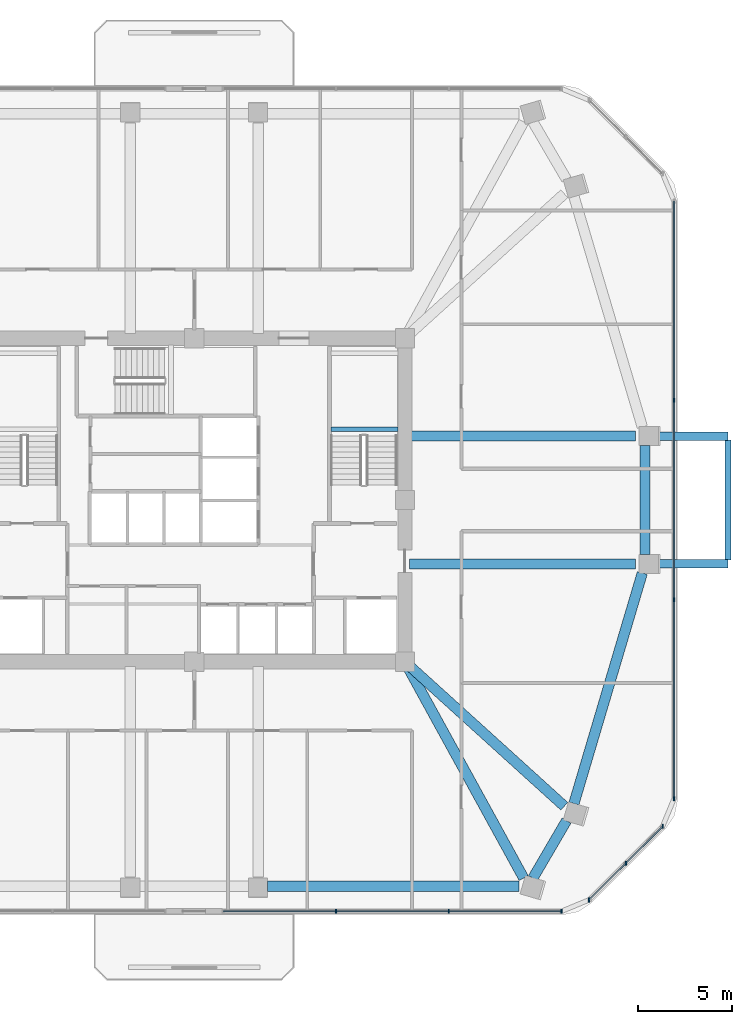
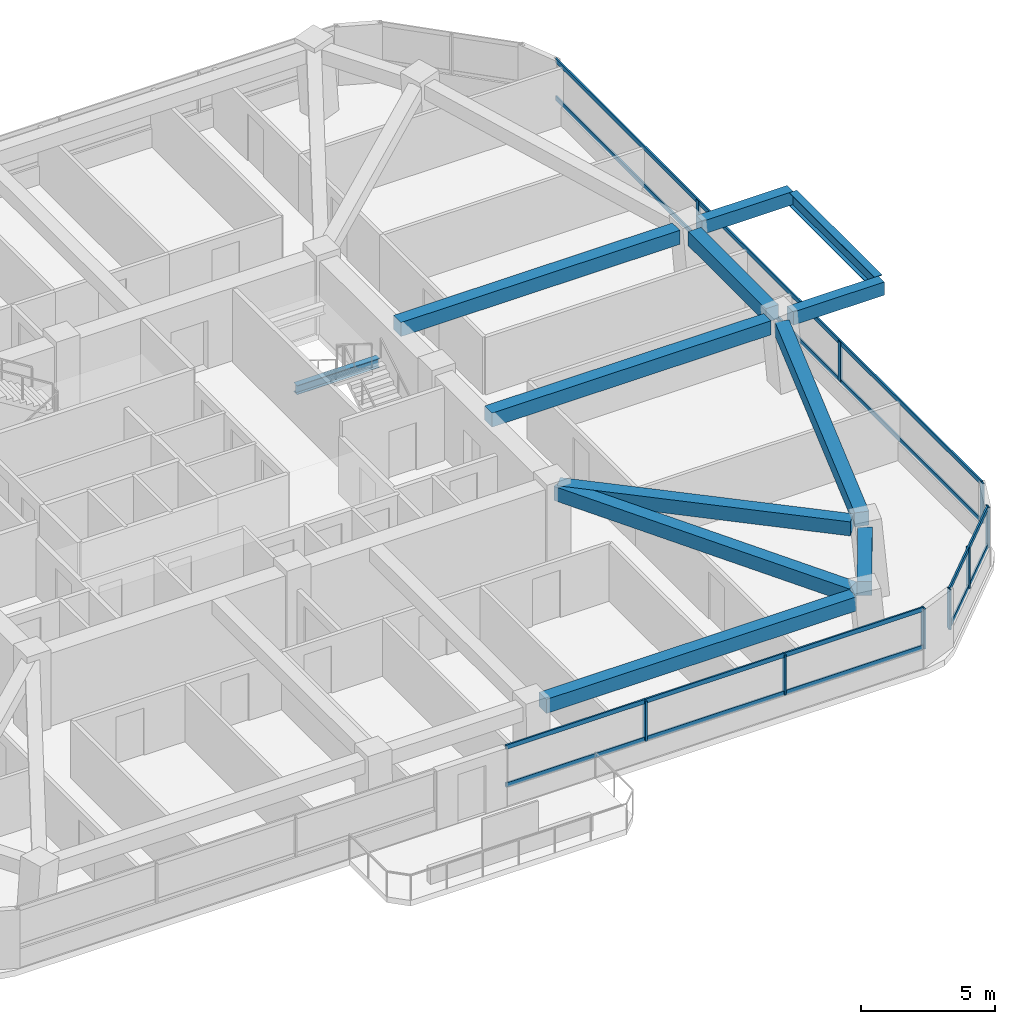
# One storey, part 4 of 13: 15 members, 12 beams, 3 elements without a shape of their own.
"""IFC4 building model written with IfcOpenShell, lengths in metres."""

from ifc_helpers import new_model, si_unit, derived_unit, direction, frame, origin, origin_2d, place, context, subcontext, project, spatial, rectangle, i_section, extrude, material, material_profile, profile_set, type_object, element, aggregate, save


model = new_model("IFC4")

# Units and contexts
model_context = context("Model", 3, precision=1e-05, world=origin(), true_north=direction((0.0, 1.0)))
body_context = subcontext(model_context, "Body", "Model", "MODEL_VIEW")
ifc_project = project(units=[si_unit("LENGTHUNIT", "METRE"), si_unit("AREAUNIT", "SQUARE_METRE"), si_unit("VOLUMEUNIT", "CUBIC_METRE"), si_unit("PLANEANGLEUNIT", "RADIAN"), si_unit("MASSUNIT", "GRAM", prefix="KILO"), derived_unit("THERMALTRANSMITTANCEUNIT", [(si_unit("POWERUNIT", "WATT"), 1), (si_unit("LENGTHUNIT", "METRE"), -2), (si_unit("THERMODYNAMICTEMPERATUREUNIT", "KELVIN"), -1)])], contexts=[model_context])

# Site, building, storey
site_placement = place(None, origin())
site = spatial("IfcSite", under=ifc_project, at=site_placement, CompositionType="ELEMENT")
building_placement = place(site_placement, origin())
building = spatial("IfcBuilding", under=site, at=building_placement, Name="Koralith Skygarden Medical Center", CompositionType="ELEMENT")
storey_placement = place(building_placement, frame((0.0, 0.0, 102.780029296875)))
storey = spatial("IfcBuildingStorey", under=building, at=storey_placement, Name="L26", CompositionType="ELEMENT", Elevation=102.780029296875)

# Curtain wall, members
ifc_material_1 = material(Name="Clear Laminated Glass", Category="glass")
curtain_wall_type = type_object("IfcCurtainWallType", Name="CW-3 Zone 2 Faceted Solar Curtain Wall", PredefinedType="NOTDEFINED", material=ifc_material_1)
curtain_wall_1_placement = place(storey_placement, origin())
curtain_wall_1 = element("IfcCurtainWall", 1, at=curtain_wall_1_placement, inside=storey, type_object=curtain_wall_type, Name="Curtain Wall CW-L26-S-R", PredefinedType="NOTDEFINED")
ifc_material_2 = material(Name="Aluminium 6063-T6", Category="aluminium")
ifc_material_profile_1 = material_profile(ifc_material_2, rectangle(XDim=0.073974609375, YDim=0.219970703125, at=origin_2d()), Name="MUL74X220")
ifc_profile_set_1 = profile_set([ifc_material_profile_1], Name="Aluminium 6063-T6")
member_type_1 = type_object("IfcMemberType", Name="CW-3 Extruded Mullion 74x220", PredefinedType="MULLION", material=ifc_profile_set_1)
member_1_placement = place(storey_placement, frame((44.5380859375, 4.033935546875, 0.849853515625), z_axis=(0.0, 0.0, 1.0), x_axis=(1.0, 0.0, 0.0)))
member_1 = element("IfcMember", 2, at=member_1_placement, type_object=member_type_1, Name="CW-L26-S-R Mullion 2", PredefinedType="MULLION", context=body_context, shape_type="SweptSolid", body=[
    extrude(rectangle(XDim=0.073974609375, YDim=0.219970703125, at=origin_2d()), origin(), (0.0, 0.0, 1.0), 1.820068359375),
])
member_2_placement = place(storey_placement, frame((50.537109375, 4.033935546875, 0.849853515625), z_axis=(0.0, 0.0, 1.0), x_axis=(1.0, 0.0, 0.0)))
member_2 = element("IfcMember", 3, at=member_2_placement, type_object=member_type_1, Name="CW-L26-S-R Mullion 3", PredefinedType="MULLION", context=body_context, shape_type="SweptSolid", body=[
    extrude(rectangle(XDim=0.073974609375, YDim=0.219970703125, at=origin_2d()), origin(), (0.0, 0.0, 1.0), 1.820068359375),
])
member_3_placement = place(storey_placement, frame((56.535888671875, 4.033935546875, 0.849853515625), z_axis=(0.0, 0.0, 1.0), x_axis=(1.0, 0.0, 0.0)))
member_3 = element("IfcMember", 4, at=member_3_placement, type_object=member_type_1, Name="CW-L26-S-R Mullion 4", PredefinedType="MULLION", context=body_context, shape_type="SweptSolid", body=[
    extrude(rectangle(XDim=0.073974609375, YDim=0.219970703125, at=origin_2d()), origin(), (0.0, 0.0, 1.0), 1.820068359375),
])

curtain_wall_2_placement = place(storey_placement, origin())
curtain_wall_2 = element("IfcCurtainWall", 5, at=curtain_wall_2_placement, inside=storey, type_object=curtain_wall_type, Name="Curtain Wall CW-L26-SE", PredefinedType="NOTDEFINED")
member_4_placement = place(storey_placement, frame((57.987060546875, 4.635009765625, 0.849853515625), z_axis=(0.0, 0.0, 1.0), x_axis=(1.0, 0.0, 0.0)))
member_4 = element("IfcMember", 6, at=member_4_placement, type_object=member_type_1, Name="CW-L26-SE Mullion 1", PredefinedType="MULLION", context=body_context, shape_type="SweptSolid", body=[
    extrude(rectangle(XDim=0.073974609375, YDim=0.219970703125, at=origin_2d()), origin(), (0.0, 0.0, 1.0), 1.820068359375),
])
member_5_placement = place(storey_placement, frame((59.948974609375, 6.595947265625, 0.849853515625), z_axis=(0.0, 0.0, 1.0), x_axis=(1.0, 0.0, 0.0)))
member_5 = element("IfcMember", 7, at=member_5_placement, type_object=member_type_1, Name="CW-L26-SE Mullion 2", PredefinedType="MULLION", context=body_context, shape_type="SweptSolid", body=[
    extrude(rectangle(XDim=0.073974609375, YDim=0.219970703125, at=origin_2d()), origin(), (0.0, 0.0, 1.0), 1.820068359375),
])
member_6_placement = place(storey_placement, frame((61.909912109375, 8.55810546875, 0.849853515625), z_axis=(0.0, 0.0, 1.0), x_axis=(1.0, 0.0, 0.0)))
member_6 = element("IfcMember", 8, at=member_6_placement, type_object=member_type_1, Name="CW-L26-SE Mullion 3", PredefinedType="MULLION", context=body_context, shape_type="SweptSolid", body=[
    extrude(rectangle(XDim=0.073974609375, YDim=0.219970703125, at=origin_2d()), origin(), (0.0, 0.0, 1.0), 1.820068359375),
])

curtain_wall_3_placement = place(storey_placement, origin())
curtain_wall_3 = element("IfcCurtainWall", 9, at=curtain_wall_3_placement, inside=storey, type_object=curtain_wall_type, Name="Curtain Wall CW-L26-E", PredefinedType="NOTDEFINED")
member_7_placement = place(storey_placement, frame((62.510986328125, 10.009033203125, 0.849853515625), z_axis=(0.0, 0.0, 1.0), x_axis=(1.0, 0.0, 0.0)))
member_7 = element("IfcMember", 10, at=member_7_placement, type_object=member_type_1, Name="CW-L26-E Mullion 1", PredefinedType="MULLION", context=body_context, shape_type="SweptSolid", body=[
    extrude(rectangle(XDim=0.073974609375, YDim=0.219970703125, at=origin_2d()), origin(), (0.0, 0.0, 1.0), 1.820068359375),
])
member_8_placement = place(storey_placement, frame((62.510986328125, 20.60302734375, 0.849853515625), z_axis=(0.0, 0.0, 1.0), x_axis=(1.0, 0.0, 0.0)))
member_8 = element("IfcMember", 11, at=member_8_placement, type_object=member_type_1, Name="CW-L26-E Mullion 2", PredefinedType="MULLION", context=body_context, shape_type="SweptSolid", body=[
    extrude(rectangle(XDim=0.073974609375, YDim=0.219970703125, at=origin_2d()), origin(), (0.0, 0.0, 1.0), 1.820068359375),
])
member_9_placement = place(storey_placement, frame((62.510986328125, 31.197021484375, 0.849853515625), z_axis=(0.0, 0.0, 1.0), x_axis=(1.0, 0.0, 0.0)))
member_9 = element("IfcMember", 12, at=member_9_placement, type_object=member_type_1, Name="CW-L26-E Mullion 3", PredefinedType="MULLION", context=body_context, shape_type="SweptSolid", body=[
    extrude(rectangle(XDim=0.073974609375, YDim=0.219970703125, at=origin_2d()), origin(), (0.0, 0.0, 1.0), 1.820068359375),
])

# Member
ifc_material_profile_2 = material_profile(ifc_material_2, rectangle(XDim=0.069091796875, YDim=0.197998046875, at=origin_2d()), Name="TRN69X198")
ifc_profile_set_2 = profile_set([ifc_material_profile_2], Name="Aluminium 6063-T6")
member_type_2 = type_object("IfcMemberType", Name="CW-3 Thermal Transom 69x198", PredefinedType="USERDEFINED", material=ifc_profile_set_2)
member_10_placement = place(storey_placement, frame((38.5390625, 4.033935546875, 0.89990234375), z_axis=(1.0, 0.0, 0.0), x_axis=(0.0, 1.0, 0.0)))
member_10 = element("IfcMember", 13, at=member_10_placement, type_object=member_type_2, Name="CW-L26-S-R Transom 1", ObjectType="TRANSOM", PredefinedType="USERDEFINED", context=body_context, shape_type="SweptSolid", body=[
    extrude(rectangle(XDim=0.069091796875, YDim=0.197998046875, at=origin_2d()), origin(), (0.0, 0.0, 1.0), 17.996826171875),
])

member_11_placement = place(storey_placement, frame((38.5390625, 4.033935546875, 2.619873046875), z_axis=(1.0, 0.0, 0.0), x_axis=(0.0, 1.0, 0.0)))
member_11 = element("IfcMember", 14, at=member_11_placement, type_object=member_type_2, Name="CW-L26-S-R Transom 2", ObjectType="TRANSOM", PredefinedType="USERDEFINED", context=body_context, shape_type="SweptSolid", body=[
    extrude(rectangle(XDim=0.069091796875, YDim=0.197998046875, at=origin_2d()), origin(), (0.0, 0.0, 1.0), 17.996826171875),
])

aggregate(curtain_wall_1, [member_1, member_2, member_3, member_10, member_11])

member_12_placement = place(storey_placement, frame((57.987060546875, 4.635009765625, 0.89990234375), z_axis=(0.707084777957, 0.707128783731, 0.0), x_axis=(-0.707128783731, 0.707084777957, 0.0)))
member_12 = element("IfcMember", 15, at=member_12_placement, type_object=member_type_2, Name="CW-L26-SE Transom 1", ObjectType="TRANSOM", PredefinedType="USERDEFINED", context=body_context, shape_type="SweptSolid", body=[
    extrude(rectangle(XDim=0.069091796875, YDim=0.197998046875, at=origin_2d()), origin(), (0.0, 0.0, 1.0), 5.5478515625),
])

member_13_placement = place(storey_placement, frame((57.987060546875, 4.635009765625, 2.619873046875), z_axis=(0.707084777957, 0.707128783731, 0.0), x_axis=(-0.707128783731, 0.707084777957, 0.0)))
member_13 = element("IfcMember", 16, at=member_13_placement, type_object=member_type_2, Name="CW-L26-SE Transom 2", ObjectType="TRANSOM", PredefinedType="USERDEFINED", context=body_context, shape_type="SweptSolid", body=[
    extrude(rectangle(XDim=0.069091796875, YDim=0.197998046875, at=origin_2d()), origin(), (0.0, 0.0, 1.0), 5.5478515625),
])

aggregate(curtain_wall_2, [member_4, member_5, member_6, member_12, member_13])

member_14_placement = place(storey_placement, frame((62.510986328125, 10.009033203125, 0.89990234375), z_axis=(0.0, 1.0, 0.0), x_axis=(-1.0, 0.0, 0.0)))
member_14 = element("IfcMember", 17, at=member_14_placement, type_object=member_type_2, Name="CW-L26-E Transom 1", ObjectType="TRANSOM", PredefinedType="USERDEFINED", context=body_context, shape_type="SweptSolid", body=[
    extrude(rectangle(XDim=0.069091796875, YDim=0.197998046875, at=origin_2d()), origin(), (0.0, 0.0, 1.0), 31.781982421875),
])

member_15_placement = place(storey_placement, frame((62.510986328125, 10.009033203125, 2.619873046875), z_axis=(0.0, 1.0, 0.0), x_axis=(-1.0, 0.0, 0.0)))
member_15 = element("IfcMember", 18, at=member_15_placement, type_object=member_type_2, Name="CW-L26-E Transom 2", ObjectType="TRANSOM", PredefinedType="USERDEFINED", context=body_context, shape_type="SweptSolid", body=[
    extrude(rectangle(XDim=0.069091796875, YDim=0.197998046875, at=origin_2d()), origin(), (0.0, 0.0, 1.0), 31.781982421875),
])

aggregate(curtain_wall_3, [member_7, member_8, member_9, member_14, member_15])

# Beams
ifc_material_3 = material(Name="Steel ASTM A992 Grade 50", Category="steel")
ifc_material_profile_3 = material_profile(ifc_material_3, i_section(OverallWidth=0.326904296875, OverallDepth=0.6220703125, WebThickness=0.015380859375, FlangeThickness=0.0244140625, at=origin_2d()), Name="W24X131")
ifc_profile_set_3 = profile_set([ifc_material_profile_3], Name="Steel ASTM A992 Grade 50")
beam_type_1 = type_object("IfcBeamType", Name="Cantilever Tie Beam W24X131", PredefinedType="BEAM", material=ifc_profile_set_3)
beam_1_placement = place(storey_placement, frame((65.3779296875, 22.719970703125, 3.029052734375), z_axis=(0.0, 1.0, 0.0), x_axis=(-1.0, 0.0, 0.0)))
element("IfcBeam", 19, at=beam_1_placement, inside=storey, type_object=beam_type_1, Name="L27 E Balcony Tip Tie Beam", PredefinedType="BEAM", context=body_context, shape_type="SweptSolid", body=[
    extrude(i_section(OverallWidth=0.326904296875, OverallDepth=0.6220703125, WebThickness=0.015380859375, FlangeThickness=0.0244140625, at=origin_2d()), origin(), (0.0, 0.0, 1.0), 6.360107421875),
])
ifc_material_profile_4 = material_profile(ifc_material_3, i_section(OverallWidth=0.260009765625, OverallDepth=0.4150390625, WebThickness=0.010009765625, FlangeThickness=0.016845703125, at=origin_2d()), Name="W16X67")
ifc_profile_set_4 = profile_set([ifc_material_profile_4], Name="Steel ASTM A992 Grade 50")
beam_type_2 = type_object("IfcBeamType", Name="Clinical Floor Joist W16X67", PredefinedType="JOIST", material=ifc_profile_set_4)
beam_2_placement = place(storey_placement, frame((44.280029296875, 29.659912109375, 1.39208984375), z_axis=(1.0, 0.0, 0.0), x_axis=(0.0, 1.0, 0.0)))
element("IfcBeam", 20, at=beam_2_placement, inside=storey, type_object=beam_type_2, Name="L26 Stair ST2 Half-Landing Support Beam 1A", PredefinedType="JOIST", context=body_context, shape_type="SweptSolid", body=[
    extrude(i_section(OverallWidth=0.260009765625, OverallDepth=0.4150390625, WebThickness=0.010009765625, FlangeThickness=0.016845703125, at=origin_2d()), origin(), (0.0, 0.0, 1.0), 3.56494140625),
])
ifc_material_4 = material(Name="Concrete C45/55", Category="concrete")
ifc_material_profile_5 = material_profile(ifc_material_4, rectangle(XDim=0.449951171875, YDim=0.60009765625, at=origin_2d()), Name="RCB450X600")
ifc_profile_set_5 = profile_set([ifc_material_profile_5], Name="Concrete C45/55")
beam_type_3 = type_object("IfcBeamType", Name="Planted Balcony Cantilever Beam RCB450X600", PredefinedType="BEAM", material=ifc_profile_set_5)
for number, where, z_axis, x_axis, name in (
    (21, (61.4580078125, 22.5, 3.0400390625), (1.0, 0.0, 0.0), (0.0, 1.0, 0.0), "L27 E Balcony Cantilever Beam A"),
    (22, (61.4580078125, 29.300048828125, 3.0400390625), (1.0, 0.0, 0.0), (0.0, 1.0, 0.0), "L27 E Balcony Cantilever Beam B"),
):
    element("IfcBeam", number, at=place(storey_placement, frame(where, z_axis=z_axis, x_axis=x_axis)), inside=storey, type_object=beam_type_3, Name=name, PredefinedType="BEAM", context=body_context, shape_type="SweptSolid", body=[
        extrude(rectangle(XDim=0.449951171875, YDim=0.60009765625, at=origin_2d()), origin(), (0.0, 0.0, 1.0), 3.919921875),
    ])
ifc_material_profile_6 = material_profile(ifc_material_4, rectangle(XDim=0.550048828125, YDim=0.639892578125, at=origin_2d()), Name="RCB550X640")
ifc_profile_set_6 = profile_set([ifc_material_profile_6], Name="Concrete C45/55")
beam_type_4 = type_object("IfcBeamType", Name="Radial Collector Beam RCB550X640", PredefinedType="BEAM", material=ifc_profile_set_6)
beam_3_placement = place(storey_placement, frame((48.320068359375, 17.0810546875, 3.0), z_axis=(0.481411133135, -0.876494906371, 0.0), x_axis=(0.876494906371, 0.481411133135, 0.0)))
element("IfcBeam", 23, at=beam_3_placement, inside=storey, type_object=beam_type_4, Name="L26 Radial Collector Beam RB-06", PredefinedType="BEAM", context=body_context, shape_type="SweptSolid", body=[
    extrude(rectangle(XDim=0.550048828125, YDim=0.639892578125, at=origin_2d()), origin(), (0.0, 0.0, 1.0), 12.87060546875),
])
beam_4_placement = place(storey_placement, frame((48.385009765625, 17.132080078125, 3.0), z_axis=(0.741050731266, -0.671449040278, 0.0), x_axis=(0.671449040278, 0.741050731266, 0.0)))
element("IfcBeam", 24, at=beam_4_placement, inside=storey, type_object=beam_type_4, Name="L26 Radial Collector Beam RB-07", PredefinedType="BEAM", context=body_context, shape_type="SweptSolid", body=[
    extrude(rectangle(XDim=0.550048828125, YDim=0.639892578125, at=origin_2d()), origin(), (0.0, 0.0, 1.0), 11.189453125),
])
for number, where, z_axis, x_axis, name in (
    (25, (48.449951171875, 22.5, 3.0), (1.0, 0.0, 0.0), (0.0, 1.0, 0.0), "L26 Radial Collector Beam RB-08"),
    (26, (48.449951171875, 29.300048828125, 3.0), (1.0, 0.0, 0.0), (0.0, 1.0, 0.0), "L26 Radial Collector Beam RB-09"),
):
    element("IfcBeam", number, at=place(storey_placement, frame(where, z_axis=z_axis, x_axis=x_axis)), inside=storey, type_object=beam_type_4, Name=name, PredefinedType="BEAM", context=body_context, shape_type="SweptSolid", body=[
        extrude(rectangle(XDim=0.550048828125, YDim=0.639892578125, at=origin_2d()), origin(), (0.0, 0.0, 1.0), 12.01806640625),
    ])
ifc_material_profile_7 = material_profile(ifc_material_4, rectangle(XDim=0.550048828125, YDim=0.639892578125, at=origin_2d()), Name="RCB550X640")
ifc_profile_set_7 = profile_set([ifc_material_profile_7], Name="Concrete C45/55")
beam_type_5 = type_object("IfcBeamType", Name="Zone 2-3 Spandrel Beam RCB550X640", PredefinedType="SPANDREL", material=ifc_profile_set_7)
beam_5_placement = place(storey_placement, frame((40.89990234375, 5.362060546875, 3.0), z_axis=(1.0, 0.0, 0.0), x_axis=(0.0, 1.0, 0.0)))
element("IfcBeam", 27, at=beam_5_placement, inside=storey, type_object=beam_type_5, Name="L26 Perimeter Spandrel Beam SP-05", PredefinedType="SPANDREL", context=body_context, shape_type="SweptSolid", body=[
    extrude(rectangle(XDim=0.550048828125, YDim=0.639892578125, at=origin_2d()), origin(), (0.0, 0.0, 1.0), 13.357177734375),
])
beam_6_placement = place(storey_placement, frame((55.009033203125, 5.7939453125, 3.0), z_axis=(0.504616741927, 0.863343468016, 0.0), x_axis=(-0.863343468016, 0.504616741927, 0.0)))
element("IfcBeam", 28, at=beam_6_placement, inside=storey, type_object=beam_type_5, Name="L26 Perimeter Spandrel Beam SP-06", PredefinedType="SPANDREL", context=body_context, shape_type="SweptSolid", body=[
    extrude(rectangle(XDim=0.550048828125, YDim=0.639892578125, at=origin_2d()), origin(), (0.0, 0.0, 1.0), 3.541015625),
])
beam_7_placement = place(storey_placement, frame((57.18994140625, 9.761962890625, 3.0), z_axis=(0.284352900975, 0.958719681506, 0.0), x_axis=(-0.958719681506, 0.284352900975, 0.0)))
element("IfcBeam", 29, at=beam_7_placement, inside=storey, type_object=beam_type_5, Name="L26 Perimeter Spandrel Beam SP-07", PredefinedType="SPANDREL", context=body_context, shape_type="SweptSolid", body=[
    extrude(rectangle(XDim=0.550048828125, YDim=0.639892578125, at=origin_2d()), origin(), (0.0, 0.0, 1.0), 12.786865234375),
])
beam_8_placement = place(storey_placement, frame((60.968017578125, 23.0, 3.0), z_axis=(0.0, 1.0, 0.0), x_axis=(-1.0, 0.0, 0.0)))
element("IfcBeam", 30, at=beam_8_placement, inside=storey, type_object=beam_type_5, Name="L26 Perimeter Spandrel Beam SP-08", PredefinedType="SPANDREL", context=body_context, shape_type="SweptSolid", body=[
    extrude(rectangle(XDim=0.550048828125, YDim=0.639892578125, at=origin_2d()), origin(), (0.0, 0.0, 1.0), 5.800048828125),
])

save(model, "model.ifc")
